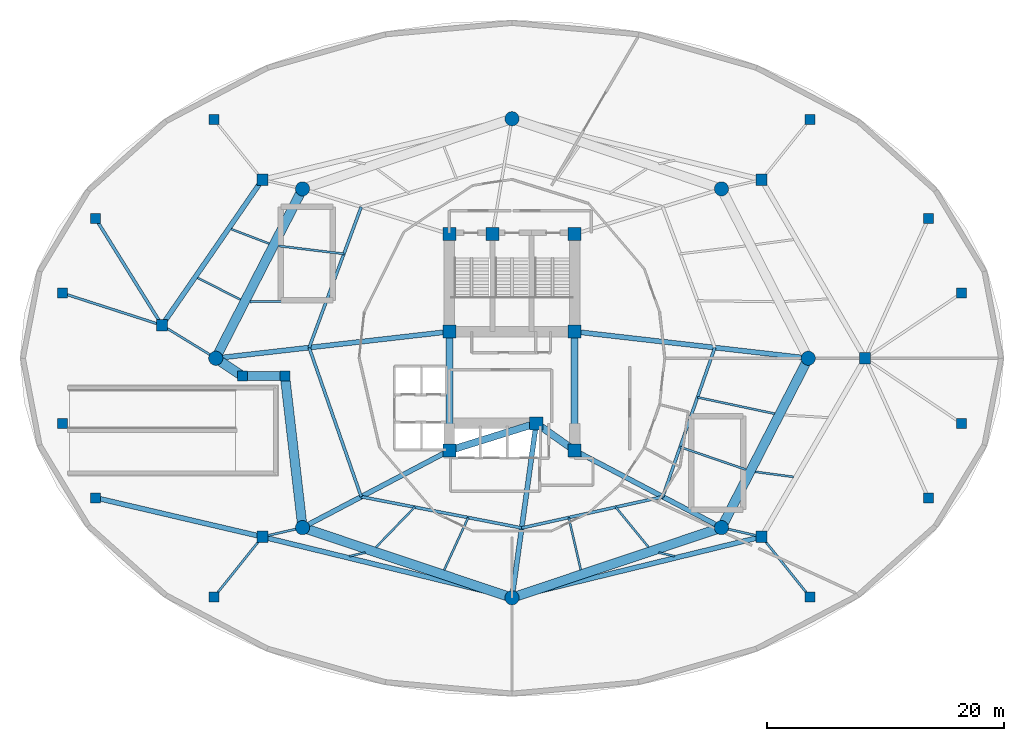
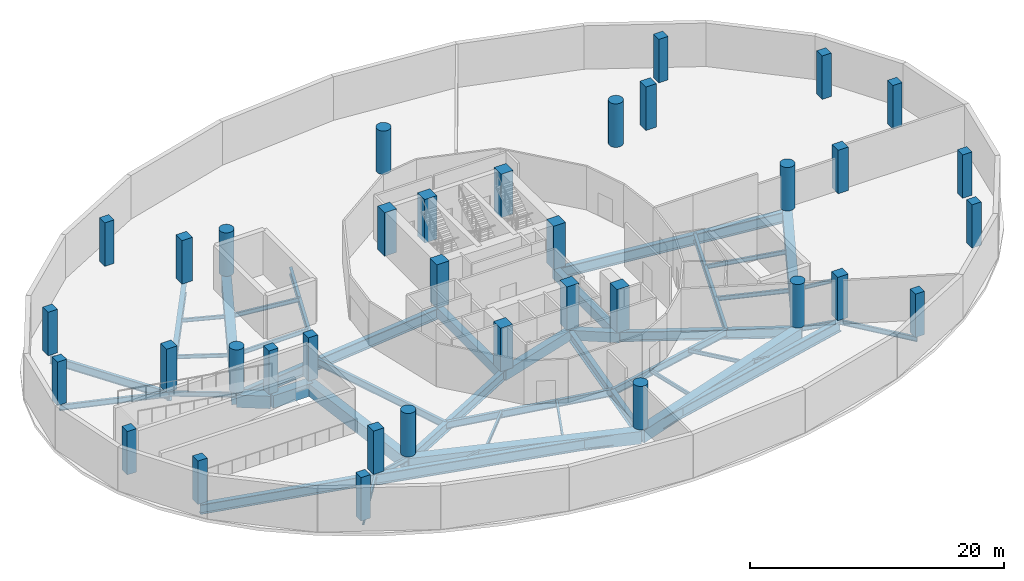
# One storey, part 1 of 8: 45 beams, 36 columns.
"""IFC4 building model written with IfcOpenShell, lengths in metres."""

from ifc_helpers import new_model, si_unit, direction, frame, origin, origin_2d, place, context, subcontext, project, spatial, rectangle, circle, i_section, extrude, material, material_profile, profile_set, type_object, element, save


model = new_model("IFC4")

# Units and contexts
model_context = context("Model", 3, precision=1e-05, world=origin(), true_north=direction((0.0, 1.0)))
body_context = subcontext(model_context, "Body", "Model", "MODEL_VIEW")
ifc_project = project(units=[si_unit("LENGTHUNIT", "METRE"), si_unit("AREAUNIT", "SQUARE_METRE"), si_unit("VOLUMEUNIT", "CUBIC_METRE"), si_unit("PLANEANGLEUNIT", "RADIAN"), si_unit("MASSUNIT", "GRAM", prefix="KILO")], contexts=[model_context])

# Site, building, storey
site_placement = place(None, origin())
site = spatial("IfcSite", under=ifc_project, at=site_placement, CompositionType="ELEMENT")
building_placement = place(site_placement, origin())
building = spatial("IfcBuilding", under=site, at=building_placement, Name="Nuhasar Tower", CompositionType="ELEMENT")
storey_placement = place(building_placement, frame((0.0, 0.0, -4.5)))
storey = spatial("IfcBuildingStorey", under=building, at=storey_placement, Name="B1", CompositionType="ELEMENT", Elevation=-4.5)

# Columns
ifc_material_1 = material(Name="Concrete C80/95", Category="concrete")
ifc_material_profile_1 = material_profile(ifc_material_1, circle(Radius=0.60009765625, at=origin_2d()), Name="CFT1200")
ifc_profile_set_1 = profile_set([ifc_material_profile_1], Name="Concrete C80/95")
column_type_1 = type_object("IfcColumnType", Name="COL-CFT-1200", PredefinedType="COLUMN", material=ifc_profile_set_1)
for number, where, z_axis, x_axis, name in (
    (1, (64.050048828125, 26.800048828125, 0.0), (0.0, 0.0, 1.0), (1.0, 0.0, 0.0), "B1 Perimeter Composite Column TC-01"),
    (2, (56.712890625, 41.118896484375, 0.0), (0.0, 0.0, 1.0), (1.0, 0.0, 0.0), "B1 Perimeter Composite Column TC-04"),
    (3, (39.0, 47.050048828125, 0.0), (0.0, 0.0, 1.0), (1.0, 0.0, 0.0), "B1 Perimeter Composite Column TC-07"),
    (4, (21.287109375, 41.118896484375, 0.0), (0.0, 0.0, 1.0), (1.0, 0.0, 0.0), "B1 Perimeter Composite Column TC-10"),
    (5, (13.949951171875, 26.800048828125, 0.0), (0.0, 0.0, 1.0), (1.0, 0.0, 0.0), "B1 Perimeter Composite Column TC-13"),
    (6, (21.287109375, 12.48095703125, 0.0), (0.0, 0.0, 1.0), (1.0, 0.0, 0.0), "B1 Perimeter Composite Column TC-16"),
    (7, (39.0, 6.550048828125, 0.0), (0.0, 0.0, 1.0), (1.0, 0.0, 0.0), "B1 Perimeter Composite Column TC-19"),
    (8, (56.712890625, 12.48095703125, 0.0), (0.0, 0.0, 1.0), (1.0, 0.0, 0.0), "B1 Perimeter Composite Column TC-22"),
):
    element("IfcColumn", number, at=place(storey_placement, frame(where, z_axis=z_axis, x_axis=x_axis)), inside=storey, type_object=column_type_1, Name=name, PredefinedType="COLUMN", context=body_context, shape_type="SweptSolid", body=[
        extrude(circle(Radius=0.60009765625, at=origin_2d()), origin(), (0.0, 0.0, 1.0), 4.179931640625),
    ])
ifc_material_2 = material(Name="Concrete C50/60", Category="concrete")
ifc_material_profile_2 = material_profile(ifc_material_2, rectangle(XDim=0.85009765625, YDim=0.85009765625, at=origin_2d()), Name="RC850X850")
ifc_profile_set_2 = profile_set([ifc_material_profile_2], Name="Concrete C50/60")
column_type_2 = type_object("IfcColumnType", Name="COL-POD-850", PredefinedType="COLUMN", material=ifc_profile_set_2)
for number, where, z_axis, x_axis, name in (
    (9, (1.0, 21.300048828125, 0.0), (0.0, 0.0, 1.0), (1.0, 0.0, 0.0), "B1 Substructure Cap Column SC-01"),
    (10, (3.800048828125, 15.0, 0.0), (0.0, 0.0, 1.0), (1.0, 0.0, 0.0), "B1 Substructure Cap Column SC-02"),
    (11, (13.800048828125, 6.60009765625, 0.0), (0.0, 0.0, 1.0), (1.0, 0.0, 0.0), "B1 Substructure Cap Column SC-03"),
    (12, (77.0, 21.300048828125, 0.0), (0.0, 0.0, 1.0), (1.0, 0.0, 0.0), "B1 Substructure Cap Column SC-04"),
    (13, (74.199951171875, 15.0, 0.0), (0.0, 0.0, 1.0), (1.0, 0.0, 0.0), "B1 Substructure Cap Column SC-05"),
    (14, (64.199951171875, 6.60009765625, 0.0), (0.0, 0.0, 1.0), (1.0, 0.0, 0.0), "B1 Substructure Cap Column SC-06"),
    (15, (77.0, 32.300048828125, 0.0), (0.0, 0.0, 1.0), (1.0, 0.0, 0.0), "B1 Substructure Cap Column SC-07"),
    (16, (74.199951171875, 38.60009765625, 0.0), (0.0, 0.0, 1.0), (1.0, 0.0, 0.0), "B1 Substructure Cap Column SC-08"),
    (17, (64.199951171875, 47.0, 0.0), (0.0, 0.0, 1.0), (1.0, 0.0, 0.0), "B1 Substructure Cap Column SC-09"),
    (18, (1.0, 32.300048828125, 0.0), (0.0, 0.0, 1.0), (1.0, 0.0, 0.0), "B1 Substructure Cap Column SC-10"),
    (19, (3.800048828125, 38.60009765625, 0.0), (0.0, 0.0, 1.0), (1.0, 0.0, 0.0), "B1 Substructure Cap Column SC-11"),
    (20, (13.800048828125, 47.0, 0.0), (0.0, 0.0, 1.0), (1.0, 0.0, 0.0), "B1 Substructure Cap Column SC-12"),
    (21, (16.199951171875, 25.300048828125, 0.0), (0.0, 0.0, 1.0), (1.0, 0.0, 0.0), "B1 Ring Spandrel Bend Column RS-01"),
    (22, (19.800048828125, 25.300048828125, 0.0), (0.0, 0.0, 1.0), (1.0, 0.0, 0.0), "B1 Ring Spandrel Bend Column RS-02"),
):
    element("IfcColumn", number, at=place(storey_placement, frame(where, z_axis=z_axis, x_axis=x_axis)), inside=storey, type_object=column_type_2, Name=name, PredefinedType="COLUMN", context=body_context, shape_type="SweptSolid", body=[
        extrude(rectangle(XDim=0.85009765625, YDim=0.85009765625, at=origin_2d()), origin(), (0.0, 0.0, 1.0), 4.179931640625),
    ])
ifc_material_3 = material(Name="Concrete C60/75", Category="concrete")
ifc_material_profile_3 = material_profile(ifc_material_3, rectangle(XDim=0.949951171875, YDim=0.949951171875, at=origin_2d()), Name="RC950X950")
ifc_profile_set_3 = profile_set([ifc_material_profile_3], Name="Concrete C60/75")
column_type_3 = type_object("IfcColumnType", Name="COL-POD-950", PredefinedType="COLUMN", material=ifc_profile_set_3)
for number, where, z_axis, x_axis, name in (
    (23, (68.85009765625, 26.800048828125, 0.0), (0.0, 0.0, 1.0), (1.0, 0.0, 0.0), "B1 Podium Perimeter Column PC-01"),
    (24, (60.10693359375, 41.89697265625, 0.0), (0.0, 0.0, 1.0), (1.0, 0.0, 0.0), "B1 Podium Perimeter Column PC-02"),
    (25, (17.89306640625, 41.89697265625, 0.0), (0.0, 0.0, 1.0), (1.0, 0.0, 0.0), "B1 Podium Perimeter Column PC-03"),
    (26, (9.405029296875, 29.5869140625, 0.0), (0.0, 0.0, 1.0), (1.0, 0.0, 0.0), "B1 Podium Perimeter Column PC-04"),
    (27, (17.89306640625, 11.702880859375, 0.0), (0.0, 0.0, 1.0), (1.0, 0.0, 0.0), "B1 Podium Perimeter Column PC-05"),
    (28, (60.10693359375, 11.702880859375, 0.0), (0.0, 0.0, 1.0), (1.0, 0.0, 0.0), "B1 Podium Perimeter Column PC-06"),
):
    element("IfcColumn", number, at=place(storey_placement, frame(where, z_axis=z_axis, x_axis=x_axis)), inside=storey, type_object=column_type_3, Name=name, PredefinedType="COLUMN", context=body_context, shape_type="SweptSolid", body=[
        extrude(rectangle(XDim=0.949951171875, YDim=0.949951171875, at=origin_2d()), origin(), (0.0, 0.0, 1.0), 4.179931640625),
    ])
ifc_material_profile_4 = material_profile(ifc_material_1, rectangle(XDim=1.10009765625, YDim=1.10009765625, at=origin_2d()), Name="RC1100X1100")
ifc_profile_set_4 = profile_set([ifc_material_profile_4], Name="Concrete C80/95")
column_type_4 = type_object("IfcColumnType", Name="PIL-RC-1100", PredefinedType="PILASTER", material=ifc_profile_set_4)
for number, where, z_axis, x_axis, name in (
    (29, (33.699951171875, 19.0, 0.0), (0.0, 0.0, 1.0), (1.0, 0.0, 0.0), "B1 Core Boundary Pilaster CC-01"),
    (30, (41.050048828125, 21.300048828125, 0.0), (0.0, 0.0, 1.0), (1.0, 0.0, 0.0), "B1 Core Boundary Pilaster CC-02"),
    (31, (44.300048828125, 19.0, 0.0), (0.0, 0.0, 1.0), (1.0, 0.0, 0.0), "B1 Core Boundary Pilaster CC-03"),
    (32, (44.300048828125, 29.050048828125, 0.0), (0.0, 0.0, 1.0), (1.0, 0.0, 0.0), "B1 Core Boundary Pilaster CC-04"),
    (33, (44.300048828125, 37.300048828125, 0.0), (0.0, 0.0, 1.0), (1.0, 0.0, 0.0), "B1 Core Boundary Pilaster CC-05"),
    (34, (37.35009765625, 37.300048828125, 0.0), (0.0, 0.0, 1.0), (1.0, 0.0, 0.0), "B1 Core Boundary Pilaster CC-06"),
    (35, (33.699951171875, 37.300048828125, 0.0), (0.0, 0.0, 1.0), (1.0, 0.0, 0.0), "B1 Core Boundary Pilaster CC-07"),
    (36, (33.699951171875, 29.050048828125, 0.0), (0.0, 0.0, 1.0), (1.0, 0.0, 0.0), "B1 Core Boundary Pilaster CC-08"),
):
    element("IfcColumn", number, at=place(storey_placement, frame(where, z_axis=z_axis, x_axis=x_axis)), inside=storey, type_object=column_type_4, Name=name, PredefinedType="PILASTER", context=body_context, shape_type="SweptSolid", body=[
        extrude(rectangle(XDim=1.10009765625, YDim=1.10009765625, at=origin_2d()), origin(), (0.0, 0.0, 1.0), 4.179931640625),
    ])

# Beams
ifc_material_profile_5 = material_profile(ifc_material_3, rectangle(XDim=0.60009765625, YDim=0.949951171875, at=origin_2d()), Name="RC600X950")
ifc_profile_set_5 = profile_set([ifc_material_profile_5], Name="Concrete C60/75")
beam_type_1 = type_object("IfcBeamType", Name="BM-CPL-RC600", PredefinedType="LINTEL", material=ifc_profile_set_5)
beam_1_placement = place(storey_placement, frame((33.699951171875, 19.0, -0.77490234375), z_axis=(0.954363709454, 0.298646798205, 0.0), x_axis=(-0.298646798205, 0.954363709454, 0.0)))
element("IfcBeam", 37, at=beam_1_placement, inside=storey, type_object=beam_type_1, Name="B1 Core Ring Girder 1", PredefinedType="LINTEL", context=body_context, shape_type="SweptSolid", body=[
    extrude(rectangle(XDim=0.60009765625, YDim=0.949951171875, at=origin_2d()), origin(), (0.0, 0.0, 1.0), 7.70166015625),
])
beam_2_placement = place(storey_placement, frame((41.050048828125, 21.300048828125, -0.77490234375), z_axis=(0.816265428953, -0.577677028708, 0.0), x_axis=(0.577677028708, 0.816265428953, 0.0)))
element("IfcBeam", 38, at=beam_2_placement, inside=storey, type_object=beam_type_1, Name="B1 Core Ring Girder 2", PredefinedType="LINTEL", context=body_context, shape_type="SweptSolid", body=[
    extrude(rectangle(XDim=0.60009765625, YDim=0.949951171875, at=origin_2d()), origin(), (0.0, 0.0, 1.0), 3.9814453125),
])
for number, where, z_axis, x_axis, name in (
    (39, (44.300048828125, 19.0, -0.77490234375), (0.0, 1.0, 0.0), (-1.0, 0.0, 0.0), "B1 Core Ring Girder 3"),
    (40, (33.699951171875, 29.050048828125, -0.77490234375), (0.0, -1.0, 0.0), (1.0, 0.0, 0.0), "B1 Core Ring Girder 8"),
):
    element("IfcBeam", number, at=place(storey_placement, frame(where, z_axis=z_axis, x_axis=x_axis)), inside=storey, type_object=beam_type_1, Name=name, PredefinedType="LINTEL", context=body_context, shape_type="SweptSolid", body=[
        extrude(rectangle(XDim=0.60009765625, YDim=0.949951171875, at=origin_2d()), origin(), (0.0, 0.0, 1.0), 10.050048828125),
    ])
ifc_material_profile_6 = material_profile(ifc_material_2, rectangle(XDim=0.800048828125, YDim=1.199951171875, at=origin_2d()), Name="RC800X1200")
ifc_profile_set_6 = profile_set([ifc_material_profile_6], Name="Concrete C50/60")
beam_type_2 = type_object("IfcBeamType", Name="BM-GRD-RC800", PredefinedType="T_BEAM", material=ifc_profile_set_6)
for number, where, z_axis, x_axis, name in (
    (41, (21.287109375, 12.48095703125, -0.89990234375), (0.948255042429, -0.317509644748, 0.0), (0.317509644748, 0.948255042429, 0.0), "B1 Mega-Column Ring Girder 01"),
    (42, (39.0, 6.550048828125, -0.89990234375), (0.948255042429, 0.317509644748, 0.0), (-0.317509644748, 0.948255042429, 0.0), "B1 Mega-Column Ring Girder 02"),
):
    element("IfcBeam", number, at=place(storey_placement, frame(where, z_axis=z_axis, x_axis=x_axis)), inside=storey, type_object=beam_type_2, Name=name, PredefinedType="T_BEAM", context=body_context, shape_type="SweptSolid", body=[
        extrude(rectangle(XDim=0.800048828125, YDim=1.199951171875, at=origin_2d()), origin(), (0.0, 0.0, 1.0), 18.679443359375),
    ])
beam_3_placement = place(storey_placement, frame((56.712890625, 12.48095703125, -0.89990234375), z_axis=(0.456023040981, 0.88996796914, 0.0), x_axis=(-0.88996796914, 0.456023040981, 0.0)))
element("IfcBeam", 43, at=beam_3_placement, inside=storey, type_object=beam_type_2, Name="B1 Mega-Column Ring Girder 03", PredefinedType="T_BEAM", context=body_context, shape_type="SweptSolid", body=[
    extrude(rectangle(XDim=0.800048828125, YDim=1.199951171875, at=origin_2d()), origin(), (0.0, 0.0, 1.0), 16.08935546875),
])
beam_4_placement = place(storey_placement, frame((21.287109375, 41.118896484375, -0.89990234375), z_axis=(-0.456029199343, -0.889964813544, 0.0), x_axis=(0.889964813544, -0.456029199343, 0.0)))
element("IfcBeam", 44, at=beam_4_placement, inside=storey, type_object=beam_type_2, Name="B1 Mega-Column Ring Girder 07", PredefinedType="T_BEAM", context=body_context, shape_type="SweptSolid", body=[
    extrude(rectangle(XDim=0.800048828125, YDim=1.199951171875, at=origin_2d()), origin(), (0.0, 0.0, 1.0), 16.089111328125),
])
beam_5_placement = place(storey_placement, frame((13.949951171875, 26.800048828125, -0.89990234375), z_axis=(0.832050294338, -0.554700196225, 0.0), x_axis=(0.554700196225, 0.832050294338, 0.0)))
element("IfcBeam", 45, at=beam_5_placement, inside=storey, type_object=beam_type_2, Name="B1 Mega-Column Perimeter Ring Spandrel 08-1", PredefinedType="T_BEAM", context=body_context, shape_type="SweptSolid", body=[
    extrude(rectangle(XDim=0.800048828125, YDim=1.199951171875, at=origin_2d()), origin(), (0.0, 0.0, 1.0), 2.7041015625),
])
beam_6_placement = place(storey_placement, frame((16.199951171875, 25.300048828125, -0.89990234375), z_axis=(1.0, 0.0, 0.0), x_axis=(0.0, 1.0, 0.0)))
element("IfcBeam", 46, at=beam_6_placement, inside=storey, type_object=beam_type_2, Name="B1 Mega-Column Perimeter Ring Spandrel 08-2", PredefinedType="T_BEAM", context=body_context, shape_type="SweptSolid", body=[
    extrude(rectangle(XDim=0.800048828125, YDim=1.199951171875, at=origin_2d()), origin(), (0.0, 0.0, 1.0), 3.60009765625),
])
beam_7_placement = place(storey_placement, frame((19.800048828125, 25.300048828125, -0.89990234375), z_axis=(0.115230850391, -0.993338739362, 0.0), x_axis=(0.993338739362, 0.115230850391, 0.0)))
element("IfcBeam", 47, at=beam_7_placement, inside=storey, type_object=beam_type_2, Name="B1 Mega-Column Perimeter Ring Spandrel 08-3", PredefinedType="T_BEAM", context=body_context, shape_type="SweptSolid", body=[
    extrude(rectangle(XDim=0.800048828125, YDim=1.199951171875, at=origin_2d()), origin(), (0.0, 0.0, 1.0), 12.905029296875),
])
ifc_material_4 = material(Name="Steel S355", Category="steel")
ifc_material_profile_7 = material_profile(ifc_material_4, i_section(OverallWidth=0.25390625, OverallDepth=0.68408203125, WebThickness=0.012451171875, FlangeThickness=0.018798828125, at=origin_2d()), Name="W27X94")
ifc_profile_set_7 = profile_set([ifc_material_profile_7], Name="Steel S355")
beam_type_3 = type_object("IfcBeamType", Name="BM-INRING-W27X94", PredefinedType="BEAM", material=ifc_profile_set_7)
beam_8_placement = place(storey_placement, frame((26.251953125, 15.089111328125, -0.64208984375), z_axis=(0.981602977761, -0.190933480695, 0.0), x_axis=(0.190933480695, 0.981602977761, 0.0)))
element("IfcBeam", 48, at=beam_8_placement, inside=storey, type_object=beam_type_3, Name="B1 Inner Header Beam 01", PredefinedType="BEAM", context=body_context, shape_type="SweptSolid", body=[
    extrude(i_section(OverallWidth=0.25390625, OverallDepth=0.68408203125, WebThickness=0.012451171875, FlangeThickness=0.018798828125, at=origin_2d()), origin(), (0.0, 0.0, 1.0), 13.822509765625),
])
beam_9_placement = place(storey_placement, frame((39.820068359375, 12.449951171875, -0.64208984375), z_axis=(0.976386023343, 0.216033176665, 0.0), x_axis=(-0.216033176665, 0.976386023343, 0.0)))
element("IfcBeam", 49, at=beam_9_placement, inside=storey, type_object=beam_type_3, Name="B1 Inner Header Beam 02", PredefinedType="BEAM", context=body_context, shape_type="SweptSolid", body=[
    extrude(i_section(OverallWidth=0.25390625, OverallDepth=0.68408203125, WebThickness=0.012451171875, FlangeThickness=0.018798828125, at=origin_2d()), origin(), (0.0, 0.0, 1.0), 12.216552734375),
])
beam_10_placement = place(storey_placement, frame((51.748046875, 15.089111328125, -0.64208984375), z_axis=(0.329554049858, 0.944136710558, 0.0), x_axis=(-0.944136710558, 0.329554049858, 0.0)))
element("IfcBeam", 50, at=beam_10_placement, inside=storey, type_object=beam_type_3, Name="B1 Inner Header Beam 03", PredefinedType="BEAM", context=body_context, shape_type="SweptSolid", body=[
    extrude(i_section(OverallWidth=0.25390625, OverallDepth=0.68408203125, WebThickness=0.012451171875, FlangeThickness=0.018798828125, at=origin_2d()), origin(), (0.0, 0.0, 1.0), 13.35693359375),
])
beam_11_placement = place(storey_placement, frame((26.251953125, 39.591064453125, -0.64208984375), z_axis=(-0.34715757476, -0.937806812881, 0.0), x_axis=(0.937806812881, -0.34715757476, 0.0)))
element("IfcBeam", 51, at=beam_11_placement, inside=storey, type_object=beam_type_3, Name="B1 Inner Header Beam 07", PredefinedType="BEAM", context=body_context, shape_type="SweptSolid", body=[
    extrude(i_section(OverallWidth=0.25390625, OverallDepth=0.68408203125, WebThickness=0.012451171875, FlangeThickness=0.018798828125, at=origin_2d()), origin(), (0.0, 0.0, 1.0), 12.6796875),
])
beam_12_placement = place(storey_placement, frame((21.85009765625, 27.699951171875, -0.64208984375), z_axis=(0.329554049858, -0.944136710558, 0.0), x_axis=(0.944136710558, 0.329554049858, 0.0)))
element("IfcBeam", 52, at=beam_12_placement, inside=storey, type_object=beam_type_3, Name="B1 Inner Header Beam 08", PredefinedType="BEAM", context=body_context, shape_type="SweptSolid", body=[
    extrude(i_section(OverallWidth=0.25390625, OverallDepth=0.68408203125, WebThickness=0.012451171875, FlangeThickness=0.018798828125, at=origin_2d()), origin(), (0.0, 0.0, 1.0), 13.35693359375),
])
ifc_material_profile_8 = material_profile(ifc_material_4, i_section(OverallWidth=0.1708984375, OverallDepth=0.35205078125, WebThickness=0.0068359375, FlangeThickness=0.009765625, at=origin_2d()), Name="W14X30")
ifc_profile_set_8 = profile_set([ifc_material_profile_8], Name="Steel S355")
beam_type_4 = type_object("IfcBeamType", Name="BM-JST-W14X30", PredefinedType="JOIST", material=ifc_profile_set_8)
beam_13_placement = place(storey_placement, frame((30.77490234375, 14.208984375, -0.47607421875), z_axis=(-0.695231692703, -0.718785707608, 0.0), x_axis=(0.718785707608, -0.695231692703, 0.0)))
element("IfcBeam", 53, at=beam_13_placement, inside=storey, type_object=beam_type_4, Name="B1 Secondary Floor Joist 01", PredefinedType="JOIST", context=body_context, shape_type="SweptSolid", body=[
    extrude(i_section(OverallWidth=0.1708984375, OverallDepth=0.35205078125, WebThickness=0.0068359375, FlangeThickness=0.009765625, at=origin_2d()), origin(), (0.0, 0.0, 1.0), 4.716064453125),
])
beam_14_placement = place(storey_placement, frame((35.297119140625, 13.330078125, -0.47607421875), z_axis=(-0.416591039829, -0.909094002584, 0.0), x_axis=(0.909094002584, -0.416591039829, 0.0)))
element("IfcBeam", 54, at=beam_14_placement, inside=storey, type_object=beam_type_4, Name="B1 Secondary Floor Joist 02", PredefinedType="JOIST", context=body_context, shape_type="SweptSolid", body=[
    extrude(i_section(OverallWidth=0.1708984375, OverallDepth=0.35205078125, WebThickness=0.0068359375, FlangeThickness=0.009765625, at=origin_2d()), origin(), (0.0, 0.0, 1.0), 4.88525390625),
])
beam_15_placement = place(storey_placement, frame((43.7958984375, 13.330078125, -0.47607421875), z_axis=(0.224898857731, -0.97438211385, 0.0), x_axis=(0.97438211385, 0.224898857731, 0.0)))
element("IfcBeam", 55, at=beam_15_placement, inside=storey, type_object=beam_type_4, Name="B1 Secondary Floor Joist 03", PredefinedType="JOIST", context=body_context, shape_type="SweptSolid", body=[
    extrude(i_section(OverallWidth=0.1708984375, OverallDepth=0.35205078125, WebThickness=0.0068359375, FlangeThickness=0.009765625, at=origin_2d()), origin(), (0.0, 0.0, 1.0), 4.531005859375),
])
beam_16_placement = place(storey_placement, frame((47.77197265625, 14.208984375, -0.47607421875), z_axis=(0.633937823361, -0.77338401594, 0.0), x_axis=(0.77338401594, 0.633937823361, 0.0)))
element("IfcBeam", 56, at=beam_16_placement, inside=storey, type_object=beam_type_4, Name="B1 Secondary Floor Joist 04", PredefinedType="JOIST", context=body_context, shape_type="SweptSolid", body=[
    extrude(i_section(OverallWidth=0.1708984375, OverallDepth=0.35205078125, WebThickness=0.0068359375, FlangeThickness=0.009765625, at=origin_2d()), origin(), (0.0, 0.0, 1.0), 4.366455078125),
])
for number, where, z_axis, x_axis, name in (
    (57, (26.597900390625, 10.367919921875, -0.47607421875), (-0.974673547169, -0.223632458399, 0.0), (0.223632458399, -0.974673547169, 0.0), "B1 Podium Secondary Joist 01"),
    (58, (51.402099609375, 10.367919921875, -0.47607421875), (0.974673547169, -0.223632458399, 0.0), (0.223632458399, 0.974673547169, 0.0), "B1 Podium Secondary Joist 04"),
):
    element("IfcBeam", number, at=place(storey_placement, frame(where, z_axis=z_axis, x_axis=x_axis)), inside=storey, type_object=beam_type_4, Name=name, PredefinedType="JOIST", context=body_context, shape_type="SweptSolid", body=[
        extrude(i_section(OverallWidth=0.1708984375, OverallDepth=0.35205078125, WebThickness=0.0068359375, FlangeThickness=0.009765625, at=origin_2d()), origin(), (0.0, 0.0, 1.0), 1.395263671875),
    ])
beam_17_placement = place(storey_placement, frame((59.574951171875, 17.197998046875, -0.47607421875), z_axis=(0.991102962404, -0.133097400099, 0.0), x_axis=(0.133097400099, 0.991102962404, 0.0)))
element("IfcBeam", 59, at=beam_17_placement, inside=storey, type_object=beam_type_4, Name="B1 Podium Secondary Joist 05", PredefinedType="JOIST", context=body_context, shape_type="SweptSolid", body=[
    extrude(i_section(OverallWidth=0.1708984375, OverallDepth=0.35205078125, WebThickness=0.0068359375, FlangeThickness=0.009765625, at=origin_2d()), origin(), (0.0, 0.0, 1.0), 3.254150390625),
])
beam_18_placement = place(storey_placement, frame((18.468994140625, 36.489013671875, -0.47607421875), z_axis=(-0.933780958441, 0.357845108465, 0.0), x_axis=(-0.357845108465, -0.933780958441, 0.0)))
element("IfcBeam", 60, at=beam_18_placement, inside=storey, type_object=beam_type_4, Name="B1 Podium Secondary Joist 13", PredefinedType="JOIST", context=body_context, shape_type="SweptSolid", body=[
    extrude(i_section(OverallWidth=0.1708984375, OverallDepth=0.35205078125, WebThickness=0.0068359375, FlangeThickness=0.009765625, at=origin_2d()), origin(), (0.0, 0.0, 1.0), 3.4345703125),
])
beam_19_placement = place(storey_placement, frame((16.04296875, 31.7529296875, -0.47607421875), z_axis=(-0.891306561685, 0.453401161332, 0.0), x_axis=(-0.453401161332, -0.891306561685, 0.0)))
element("IfcBeam", 61, at=beam_19_placement, inside=storey, type_object=beam_type_4, Name="B1 Podium Secondary Joist 14", PredefinedType="JOIST", context=body_context, shape_type="SweptSolid", body=[
    extrude(i_section(OverallWidth=0.1708984375, OverallDepth=0.35205078125, WebThickness=0.0068359375, FlangeThickness=0.009765625, at=origin_2d()), origin(), (0.0, 0.0, 1.0), 4.06494140625),
])
ifc_material_profile_9 = material_profile(ifc_material_4, i_section(OverallWidth=0.177978515625, OverallDepth=0.406005859375, WebThickness=0.0078125, FlangeThickness=0.0126953125, at=origin_2d()), Name="W16X40")
ifc_profile_set_9 = profile_set([ifc_material_profile_9], Name="Steel S355")
beam_type_5 = type_object("IfcBeamType", Name="BM-JST-W16X40", PredefinedType="JOIST", material=ifc_profile_set_9)
beam_20_placement = place(storey_placement, frame((53.215087890625, 19.29296875, -0.5029296875), z_axis=(0.945896101295, -0.324469668159, 0.0), x_axis=(0.324469668159, 0.945896101295, 0.0)))
element("IfcBeam", 62, at=beam_20_placement, inside=storey, type_object=beam_type_5, Name="B1 Secondary Floor Joist 05", PredefinedType="JOIST", context=body_context, shape_type="SweptSolid", body=[
    extrude(i_section(OverallWidth=0.177978515625, OverallDepth=0.406005859375, WebThickness=0.0078125, FlangeThickness=0.0126953125, at=origin_2d()), origin(), (0.0, 0.0, 1.0), 5.88330078125),
])
beam_21_placement = place(storey_placement, frame((54.68310546875, 23.49609375, -0.5029296875), z_axis=(0.97820211862, -0.207655038774, 0.0), x_axis=(0.207655038774, 0.97820211862, 0.0)))
element("IfcBeam", 63, at=beam_21_placement, inside=storey, type_object=beam_type_5, Name="B1 Secondary Floor Joist 06", PredefinedType="JOIST", context=body_context, shape_type="SweptSolid", body=[
    extrude(i_section(OverallWidth=0.177978515625, OverallDepth=0.406005859375, WebThickness=0.0078125, FlangeThickness=0.0126953125, at=origin_2d()), origin(), (0.0, 0.0, 1.0), 6.6650390625),
])
beam_22_placement = place(storey_placement, frame((24.784912109375, 35.626953125, -0.5029296875), z_axis=(-0.992770578083, 0.120027410589, 0.0), x_axis=(-0.120027410589, -0.992770578083, 0.0)))
element("IfcBeam", 64, at=beam_22_placement, inside=storey, type_object=beam_type_5, Name="B1 Secondary Floor Joist 13", PredefinedType="JOIST", context=body_context, shape_type="SweptSolid", body=[
    extrude(i_section(OverallWidth=0.177978515625, OverallDepth=0.406005859375, WebThickness=0.0078125, FlangeThickness=0.0126953125, at=origin_2d()), origin(), (0.0, 0.0, 1.0), 5.565185546875),
])
beam_23_placement = place(storey_placement, frame((23.31689453125, 31.6640625, -0.5029296875), z_axis=(-0.999913869962, -0.013124505969, 0.0), x_axis=(0.013124505969, -0.999913869962, 0.0)))
element("IfcBeam", 65, at=beam_23_placement, inside=storey, type_object=beam_type_5, Name="B1 Secondary Floor Joist 14", PredefinedType="JOIST", context=body_context, shape_type="SweptSolid", body=[
    extrude(i_section(OverallWidth=0.177978515625, OverallDepth=0.406005859375, WebThickness=0.0078125, FlangeThickness=0.0126953125, at=origin_2d()), origin(), (0.0, 0.0, 1.0), 6.473388671875),
])
ifc_material_profile_10 = material_profile(ifc_material_4, i_section(OverallWidth=0.419921875, OverallDepth=0.931884765625, WebThickness=0.021240234375, FlangeThickness=0.03662109375, at=origin_2d()), Name="W36X262")
ifc_profile_set_10 = profile_set([ifc_material_profile_10], Name="Steel S355")
beam_type_6 = type_object("IfcBeamType", Name="BM-POD-W36X262", PredefinedType="BEAM", material=ifc_profile_set_10)
beam_24_placement = place(storey_placement, frame((33.699951171875, 19.0, -0.76611328125), z_axis=(-0.885330348705, -0.464962550816, 0.0), x_axis=(0.464962550816, -0.885330348705, 0.0)))
element("IfcBeam", 66, at=beam_24_placement, inside=storey, type_object=beam_type_6, Name="B1 Radial Floor Girder 01", PredefinedType="BEAM", context=body_context, shape_type="SweptSolid", body=[
    extrude(i_section(OverallWidth=0.419921875, OverallDepth=0.931884765625, WebThickness=0.021240234375, FlangeThickness=0.03662109375, at=origin_2d()), origin(), (0.0, 0.0, 1.0), 14.0205078125),
])
beam_25_placement = place(storey_placement, frame((41.050048828125, 21.300048828125, -0.76611328125), z_axis=(-0.137663087856, -0.990479113481, 0.0), x_axis=(0.990479113481, -0.137663087856, 0.0)))
element("IfcBeam", 67, at=beam_25_placement, inside=storey, type_object=beam_type_6, Name="B1 Radial Floor Girder 02", PredefinedType="BEAM", context=body_context, shape_type="SweptSolid", body=[
    extrude(i_section(OverallWidth=0.419921875, OverallDepth=0.931884765625, WebThickness=0.021240234375, FlangeThickness=0.03662109375, at=origin_2d()), origin(), (0.0, 0.0, 1.0), 14.891845703125),
])
beam_26_placement = place(storey_placement, frame((44.300048828125, 19.0, -0.76611328125), z_axis=(0.885330348705, -0.464962550816, 0.0), x_axis=(0.464962550816, 0.885330348705, 0.0)))
element("IfcBeam", 68, at=beam_26_placement, inside=storey, type_object=beam_type_6, Name="B1 Radial Floor Girder 03", PredefinedType="BEAM", context=body_context, shape_type="SweptSolid", body=[
    extrude(i_section(OverallWidth=0.419921875, OverallDepth=0.931884765625, WebThickness=0.021240234375, FlangeThickness=0.03662109375, at=origin_2d()), origin(), (0.0, 0.0, 1.0), 14.0205078125),
])
beam_27_placement = place(storey_placement, frame((17.89306640625, 41.89697265625, -0.76611328125), z_axis=(-0.567657789101, -0.823264619957, 0.0), x_axis=(0.823264619957, -0.567657789101, 0.0)))
element("IfcBeam", 69, at=beam_27_placement, inside=storey, type_object=beam_type_6, Name="B1 Podium Ring Girder 07", PredefinedType="BEAM", context=body_context, shape_type="SweptSolid", body=[
    extrude(i_section(OverallWidth=0.419921875, OverallDepth=0.931884765625, WebThickness=0.021240234375, FlangeThickness=0.03662109375, at=origin_2d()), origin(), (0.0, 0.0, 1.0), 14.95263671875),
])
beam_28_placement = place(storey_placement, frame((17.89306640625, 11.702880859375, -0.76611328125), z_axis=(-0.973707287651, 0.227802805019, 0.0), x_axis=(-0.227802805019, -0.973707287651, 0.0)))
element("IfcBeam", 70, at=beam_28_placement, inside=storey, type_object=beam_type_6, Name="B1 Substructure Cap Tie Girder 02", PredefinedType="BEAM", context=body_context, shape_type="SweptSolid", body=[
    extrude(i_section(OverallWidth=0.419921875, OverallDepth=0.931884765625, WebThickness=0.021240234375, FlangeThickness=0.03662109375, at=origin_2d()), origin(), (0.0, 0.0, 1.0), 14.4736328125),
])
ifc_material_profile_11 = material_profile(ifc_material_4, i_section(OverallWidth=0.18994140625, OverallDepth=0.45703125, WebThickness=0.009033203125, FlangeThickness=0.014404296875, at=origin_2d()), Name="W18X50")
ifc_profile_set_11 = profile_set([ifc_material_profile_11], Name="Steel S355")
beam_type_7 = type_object("IfcBeamType", Name="BM-RAD-W18X50", PredefinedType="BEAM", material=ifc_profile_set_11)
for number, where, z_axis, x_axis, name in (
    (71, (21.287109375, 12.48095703125, -0.529052734375), (-0.974715141502, -0.223451097394, 0.0), (0.223451097394, -0.974715141502, 0.0), "B1 Podium Radial Girder 01"),
    (72, (56.712890625, 12.48095703125, -0.529052734375), (0.974715141502, -0.223451097394, 0.0), (0.223451097394, 0.974715141502, 0.0), "B1 Podium Radial Girder 03"),
):
    element("IfcBeam", number, at=place(storey_placement, frame(where, z_axis=z_axis, x_axis=x_axis)), inside=storey, type_object=beam_type_7, Name=name, PredefinedType="BEAM", context=body_context, shape_type="SweptSolid", body=[
        extrude(i_section(OverallWidth=0.18994140625, OverallDepth=0.45703125, WebThickness=0.009033203125, FlangeThickness=0.014404296875, at=origin_2d()), origin(), (0.0, 0.0, 1.0), 3.482177734375),
    ])
beam_29_placement = place(storey_placement, frame((13.949951171875, 26.800048828125, -0.529052734375), z_axis=(-0.852495272032, 0.522734933941, 0.0), x_axis=(-0.522734933941, -0.852495272032, 0.0)))
element("IfcBeam", 73, at=beam_29_placement, inside=storey, type_object=beam_type_7, Name="B1 Podium Radial Girder 08", PredefinedType="BEAM", context=body_context, shape_type="SweptSolid", body=[
    extrude(i_section(OverallWidth=0.18994140625, OverallDepth=0.45703125, WebThickness=0.009033203125, FlangeThickness=0.014404296875, at=origin_2d()), origin(), (0.0, 0.0, 1.0), 5.331298828125),
])
for number, where, z_axis, x_axis, name in (
    (74, (17.89306640625, 11.702880859375, -0.529052734375), (-0.625700397975, -0.780063466632, 0.0), (0.780063466632, -0.625700397975, 0.0), "B1 Substructure Cap Tie Girder 03"),
    (75, (60.10693359375, 11.702880859375, -0.529052734375), (0.625700397975, -0.780063466632, 0.0), (0.780063466632, 0.625700397975, 0.0), "B1 Substructure Cap Tie Girder 06"),
):
    element("IfcBeam", number, at=place(storey_placement, frame(where, z_axis=z_axis, x_axis=x_axis)), inside=storey, type_object=beam_type_7, Name=name, PredefinedType="BEAM", context=body_context, shape_type="SweptSolid", body=[
        extrude(i_section(OverallWidth=0.18994140625, OverallDepth=0.45703125, WebThickness=0.009033203125, FlangeThickness=0.014404296875, at=origin_2d()), origin(), (0.0, 0.0, 1.0), 6.54150390625),
    ])
ifc_material_profile_12 = material_profile(ifc_material_4, i_section(OverallWidth=0.208984375, OverallDepth=0.532958984375, WebThickness=0.01025390625, FlangeThickness=0.015625, at=origin_2d()), Name="W21X62")
ifc_profile_set_12 = profile_set([ifc_material_profile_12], Name="Steel S355")
beam_type_8 = type_object("IfcBeamType", Name="BM-RAD-W21X62", PredefinedType="BEAM", material=ifc_profile_set_12)
beam_30_placement = place(storey_placement, frame((9.405029296875, 29.5869140625, -0.56591796875), z_axis=(-0.951647895108, 0.307190956468, 0.0), x_axis=(-0.307190956468, -0.951647895108, 0.0)))
element("IfcBeam", 76, at=beam_30_placement, inside=storey, type_object=beam_type_8, Name="B1 Substructure Cap Tie Girder 10", PredefinedType="BEAM", context=body_context, shape_type="SweptSolid", body=[
    extrude(i_section(OverallWidth=0.208984375, OverallDepth=0.532958984375, WebThickness=0.01025390625, FlangeThickness=0.015625, at=origin_2d()), origin(), (0.0, 0.0, 1.0), 8.83203125),
])
ifc_material_profile_13 = material_profile(ifc_material_4, i_section(OverallWidth=0.26611328125, OverallDepth=0.779052734375, WebThickness=0.0166015625, FlangeThickness=0.030029296875, at=origin_2d()), Name="W30X148")
ifc_profile_set_13 = profile_set([ifc_material_profile_13], Name="Steel S355")
beam_type_9 = type_object("IfcBeamType", Name="BM-RAD-W30X148", PredefinedType="BEAM", material=ifc_profile_set_13)
beam_31_placement = place(storey_placement, frame((9.405029296875, 29.5869140625, -0.68896484375), z_axis=(-0.528082984569, 0.849192770464, 0.0), x_axis=(-0.849192770464, -0.528082984569, 0.0)))
element("IfcBeam", 77, at=beam_31_placement, inside=storey, type_object=beam_type_9, Name="B1 Substructure Cap Tie Girder 11", PredefinedType="BEAM", context=body_context, shape_type="SweptSolid", body=[
    extrude(i_section(OverallWidth=0.26611328125, OverallDepth=0.779052734375, WebThickness=0.0166015625, FlangeThickness=0.030029296875, at=origin_2d()), origin(), (0.0, 0.0, 1.0), 10.61376953125),
])
ifc_material_5 = material(Name="Steel S460", Category="steel")
ifc_material_profile_14 = material_profile(ifc_material_5, i_section(OverallWidth=0.419921875, OverallDepth=1.0400390625, WebThickness=0.031005859375, FlangeThickness=0.055908203125, at=origin_2d()), Name="W40X397")
ifc_profile_set_14 = profile_set([ifc_material_profile_14], Name="Steel S460")
beam_type_10 = type_object("IfcBeamType", Name="BM-XFER-W40X397", PredefinedType="USERDEFINED", material=ifc_profile_set_14)
for number, where, z_axis, x_axis, name in (
    (78, (44.300048828125, 29.050048828125, -0.820068359375), (0.993573147212, -0.113191877531, 0.0), (0.113191877531, 0.993573147212, 0.0), "B1 Radial Floor Girder 04"),
    (79, (33.699951171875, 29.050048828125, -0.820068359375), (-0.993573147212, -0.113191877531, 0.0), (0.113191877531, -0.993573147212, 0.0), "B1 Radial Floor Girder 08"),
):
    element("IfcBeam", number, at=place(storey_placement, frame(where, z_axis=z_axis, x_axis=x_axis)), inside=storey, type_object=beam_type_10, Name=name, ObjectType="GIRDER", PredefinedType="USERDEFINED", context=body_context, shape_type="SweptSolid", body=[
        extrude(i_section(OverallWidth=0.419921875, OverallDepth=1.0400390625, WebThickness=0.031005859375, FlangeThickness=0.055908203125, at=origin_2d()), origin(), (0.0, 0.0, 1.0), 19.877685546875),
    ])
for number, where, z_axis, x_axis, name in (
    (80, (17.89306640625, 11.702880859375, -0.820068359375), (0.971469463574, -0.237164671365, 0.0), (0.237164671365, 0.971469463574, 0.0), "B1 Podium Ring Girder 01"),
    (81, (39.0, 6.550048828125, -0.820068359375), (0.971469463574, 0.237164671365, 0.0), (-0.237164671365, 0.971469463574, 0.0), "B1 Podium Ring Girder 02"),
):
    element("IfcBeam", number, at=place(storey_placement, frame(where, z_axis=z_axis, x_axis=x_axis)), inside=storey, type_object=beam_type_10, Name=name, ObjectType="GIRDER", PredefinedType="USERDEFINED", context=body_context, shape_type="SweptSolid", body=[
        extrude(i_section(OverallWidth=0.419921875, OverallDepth=1.0400390625, WebThickness=0.031005859375, FlangeThickness=0.055908203125, at=origin_2d()), origin(), (0.0, 0.0, 1.0), 21.726806640625),
    ])

save(model, "model.ifc")
